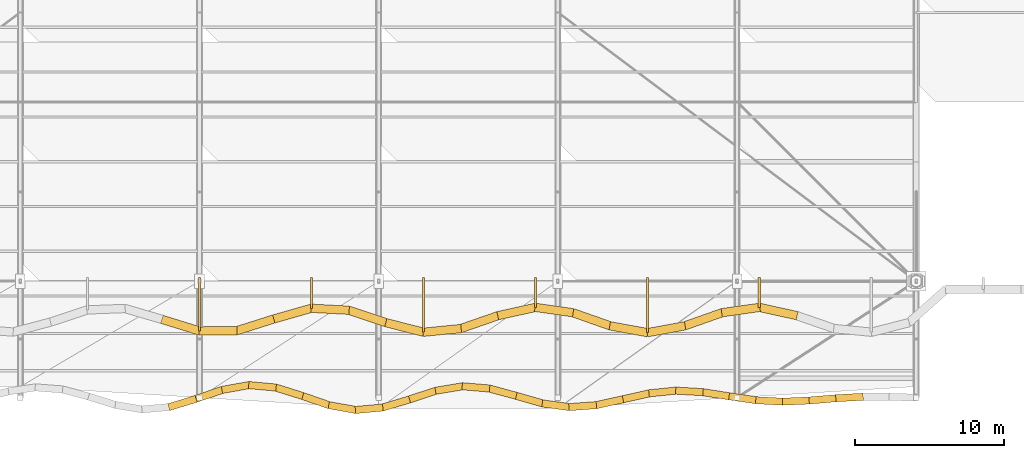
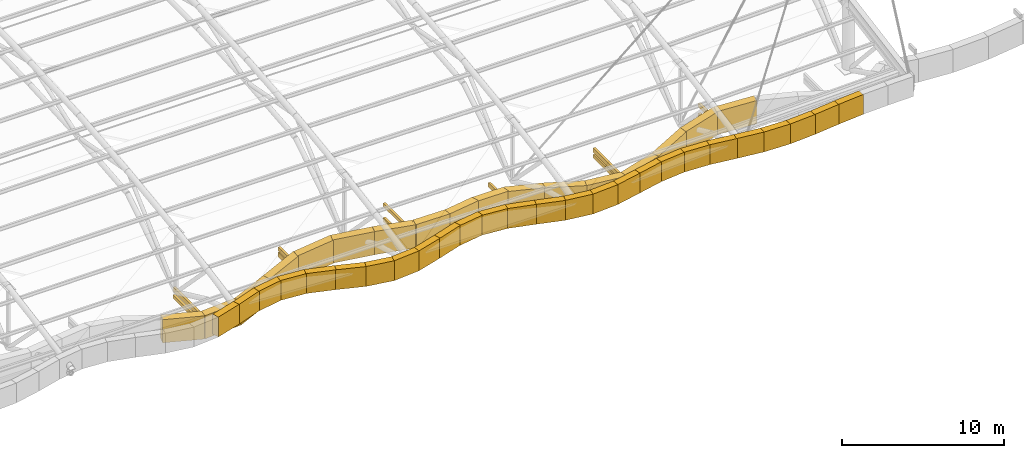
# One storey, part 25 of 29: 54 coverings.
"""IFC4 building model written with IfcOpenShell, lengths in metres."""

from ifc_helpers import new_model, si_unit, direction, frame, frame_2d, origin, place, context, subcontext, project, spatial, polyline, rectangle, outline, extrude, material, layer, layer_set, type_object, element, save


model = new_model("IFC4")

# Units and contexts
model_context = context("Model", 3, precision=1e-05, world=origin(), true_north=direction((0.0, 1.0)))
body_context = subcontext(model_context, "Body", "Model", "MODEL_VIEW")
ifc_project = project(units=[si_unit("LENGTHUNIT", "METRE"), si_unit("AREAUNIT", "SQUARE_METRE"), si_unit("VOLUMEUNIT", "CUBIC_METRE"), si_unit("PLANEANGLEUNIT", "RADIAN"), si_unit("MASSUNIT", "GRAM", prefix="KILO")], contexts=[model_context])

# Site, building, storey
site_placement = place(None, origin())
site = spatial("IfcSite", under=ifc_project, at=site_placement, CompositionType="ELEMENT")
building_placement = place(site_placement, origin())
building = spatial("IfcBuilding", under=site, at=building_placement, Name="Keelwater Ferry Terminal", CompositionType="ELEMENT")
storey_placement = place(building_placement, frame((0.0, 0.0, 27.89990234375)))
storey = spatial("IfcBuildingStorey", under=building, at=storey_placement, Name="RF", CompositionType="ELEMENT", Elevation=27.89990234375)

# Coverings
ifc_material = material(Name="Matte white architectural aluminium fascia ribbon", Category="aluminium")
ifc_layer = layer(ifc_material, 0.1201171875)
ifc_layer_set = layer_set([ifc_layer], Name="Matte white architectural aluminium fascia ribbon")
covering_type = type_object("IfcCoveringType", Name="RB-WHT Matte White Fascia Ribbon", PredefinedType="CLADDING", material=ifc_layer_set)
covering_1_placement = place(storey_placement, frame((81.47607421875, 39.444091796875, -14.375), z_axis=(0.0, 0.0, 1.0), x_axis=(0.955445837969, -0.295166479648, 0.0)))
element("IfcCovering", 1, at=covering_1_placement, inside=storey, type_object=covering_type, Name="Overhanging Roof-Edge Wave Fascia Ribbon 432", PredefinedType="CLADDING", context=body_context, shape_type="SweptSolid", body=[
    extrude(outline(polyline([(0.0, 0.12109375), (2.666748046875, 0.0), (2.666748046875, 1.75), (0.0, 1.87109375), (0.0, 0.12109375)])), frame((0.0, 0.280029296875, 0.0), z_axis=(0.0, -1.0, 0.0), x_axis=(1.0, 0.0, 0.0)), (0.0, 0.0, 1.0), 0.56005859375),
])
covering_2_placement = place(storey_placement, frame((83.97509765625, 38.6640625, -14.375), z_axis=(0.0, 0.0, 1.0), x_axis=(0.999972112646, 0.007468194637, 0.0)))
element("IfcCovering", 2, at=covering_2_placement, inside=storey, type_object=covering_type, Name="Overhanging Roof-Edge Wave Fascia Ribbon 436", PredefinedType="CLADDING", context=body_context, shape_type="SweptSolid", body=[
    extrude(outline(polyline([(0.0, 0.0), (2.5498046875, 0.13720703125), (2.5498046875, 1.88720703125), (0.0, 1.75), (0.0, 0.0)])), frame((0.0, 0.280029296875, 0.0), z_axis=(0.0, -1.0, 0.0), x_axis=(1.0, 0.0, 0.0)), (0.0, 0.0, 1.0), 0.56005859375),
])
covering_3_placement = place(storey_placement, frame((84.0, 38.6640625, -13.639892578125), z_axis=(0.0, 0.0, 1.0), x_axis=(0.0, 1.0, 0.0)))
element("IfcCovering", 3, at=covering_3_placement, inside=storey, type_object=covering_type, Name="Ribbon Horizontal Tie Bracket 440", PredefinedType="CLADDING", context=body_context, shape_type="SweptSolid", body=[
    extrude(rectangle(XDim=3.5859375, YDim=0.159912109375, at=frame_2d((1.79296875, 0.0))), origin(), (0.0, 0.0, 1.0), 0.280029296875),
])
covering_4_placement = place(storey_placement, frame((84.0, 38.6640625, -13.119873046875), z_axis=(0.0, 0.0, 1.0), x_axis=(0.0, 1.0, 0.0)))
element("IfcCovering", 4, at=covering_4_placement, inside=storey, type_object=covering_type, Name="Ribbon Roof Eave Tie Bracket 443", PredefinedType="CLADDING", context=body_context, shape_type="SweptSolid", body=[
    extrude(rectangle(XDim=3.5859375, YDim=0.159912109375, at=frame_2d((1.79296875, 0.0))), origin(), (0.0, 0.0, 1.0), 0.340087890625),
])
covering_5_placement = place(storey_placement, frame((86.47607421875, 38.675048828125, -14.23779296875), z_axis=(0.0, 0.0, 1.0), x_axis=(0.953335214088, 0.30191384463, 0.0)))
element("IfcCovering", 5, at=covering_5_placement, inside=storey, type_object=covering_type, Name="Overhanging Roof-Edge Wave Fascia Ribbon 448", PredefinedType="CLADDING", context=body_context, shape_type="SweptSolid", body=[
    extrude(outline(polyline([(0.0, 0.0), (2.672607421875, 0.36376953125), (2.672607421875, 2.11376953125), (0.0, 1.75), (0.0, 0.0)])), frame((0.0, 0.280029296875, 0.0), z_axis=(0.0, -1.0, 0.0), x_axis=(1.0, 0.0, 0.0)), (0.0, 0.0, 1.0), 0.56005859375),
])
covering_6_placement = place(storey_placement, frame((88.97607421875, 39.467041015625, -13.8740234375), z_axis=(0.0, 0.0, 1.0), x_axis=(0.961832872249, 0.273637581229, 0.0)))
element("IfcCovering", 6, at=covering_6_placement, inside=storey, type_object=covering_type, Name="Overhanging Roof-Edge Wave Fascia Ribbon 451", PredefinedType="CLADDING", context=body_context, shape_type="SweptSolid", body=[
    extrude(outline(polyline([(0.0, 0.0), (2.64892578125, 0.47119140625), (2.64892578125, 2.22119140625), (0.0, 1.75), (0.0, 0.0)])), frame((0.0, 0.280029296875, 0.0), z_axis=(0.0, -1.0, 0.0), x_axis=(1.0, 0.0, 0.0)), (0.0, 0.0, 1.0), 0.56005859375),
])
covering_7_placement = place(storey_placement, frame((91.47509765625, 40.18603515625, -13.40283203125), z_axis=(0.0, 0.0, 1.0), x_axis=(0.998580872476, -0.053256371694, 0.0)))
element("IfcCovering", 7, at=covering_7_placement, inside=storey, type_object=covering_type, Name="Overhanging Roof-Edge Wave Fascia Ribbon 454", PredefinedType="CLADDING", context=body_context, shape_type="SweptSolid", body=[
    extrude(outline(polyline([(0.0, 0.0), (2.553466796875, 0.4189453125), (2.553466796875, 2.1689453125), (0.0, 1.75), (0.0, 0.0)])), frame((0.0, 0.280029296875, 0.0), z_axis=(0.0, -1.0, 0.0), x_axis=(1.0, 0.0, 0.0)), (0.0, 0.0, 1.0), 0.56005859375),
])
covering_8_placement = place(storey_placement, frame((91.5, 40.18505859375, -12.66796875), z_axis=(0.0, 0.0, 1.0), x_axis=(0.0, 1.0, 0.0)))
element("IfcCovering", 8, at=covering_8_placement, inside=storey, type_object=covering_type, Name="Ribbon Horizontal Tie Bracket 458", PredefinedType="CLADDING", context=body_context, shape_type="SweptSolid", body=[
    extrude(rectangle(XDim=2.06494140625, YDim=0.159912109375, at=frame_2d((1.032470703125, 0.0))), origin(), (0.0, 0.0, 1.0), 0.280029296875),
])
covering_9_placement = place(storey_placement, frame((91.5, 40.18505859375, -13.119873046875), z_axis=(0.0, 0.0, 1.0), x_axis=(0.0, 1.0, 0.0)))
element("IfcCovering", 9, at=covering_9_placement, inside=storey, type_object=covering_type, Name="Ribbon Roof Eave Tie Bracket 461", PredefinedType="CLADDING", context=body_context, shape_type="SweptSolid", body=[
    extrude(rectangle(XDim=2.06494140625, YDim=0.159912109375, at=frame_2d((1.032470703125, 0.0))), origin(), (0.0, 0.0, 1.0), 0.340087890625),
])
covering_10_placement = place(storey_placement, frame((93.97607421875, 40.05908203125, -12.98388671875), z_axis=(0.0, 0.0, 1.0), x_axis=(0.948483159873, -0.31682754842, 0.0)))
element("IfcCovering", 10, at=covering_10_placement, inside=storey, type_object=covering_type, Name="Overhanging Roof-Edge Wave Fascia Ribbon 465", PredefinedType="CLADDING", context=body_context, shape_type="SweptSolid", body=[
    extrude(outline(polyline([(0.0, 0.0), (2.686279296875, 0.27001953125), (2.686279296875, 2.02001953125), (0.0, 1.75), (0.0, 0.0)])), frame((0.0, 0.280029296875, 0.0), z_axis=(0.0, -1.0, 0.0), x_axis=(1.0, 0.0, 0.0)), (0.0, 0.0, 1.0), 0.56005859375),
])
covering_11_placement = place(storey_placement, frame((96.47607421875, 39.221923828125, -12.7138671875), z_axis=(0.0, 0.0, 1.0), x_axis=(0.969062454422, -0.246815638545, 0.0)))
element("IfcCovering", 11, at=covering_11_placement, inside=storey, type_object=covering_type, Name="Overhanging Roof-Edge Wave Fascia Ribbon 469", PredefinedType="CLADDING", context=body_context, shape_type="SweptSolid", body=[
    extrude(outline(polyline([(0.0, 0.0), (2.629150390625, 0.010986328125), (2.629150390625, 1.760986328125), (0.0, 1.75), (0.0, 0.0)])), frame((0.0, 0.280029296875, 0.0), z_axis=(0.0, -1.0, 0.0), x_axis=(1.0, 0.0, 0.0)), (0.0, 0.0, 1.0), 0.56005859375),
])
covering_12_placement = place(storey_placement, frame((98.97509765625, 38.576904296875, -12.935791015625), z_axis=(0.0, 0.0, 1.0), x_axis=(0.995190712751, 0.097956343614, 0.0)))
element("IfcCovering", 12, at=covering_12_placement, inside=storey, type_object=covering_type, Name="Overhanging Roof-Edge Wave Fascia Ribbon 473", PredefinedType="CLADDING", context=body_context, shape_type="SweptSolid", body=[
    extrude(outline(polyline([(0.0, 0.23291015625), (2.56201171875, 0.0), (2.56201171875, 1.75), (0.0, 1.98291015625), (0.0, 0.23291015625)])), frame((0.0, 0.280029296875, 0.0), z_axis=(0.0, -1.0, 0.0), x_axis=(1.0, 0.0, 0.0)), (0.0, 0.0, 1.0), 0.56005859375),
])
covering_13_placement = place(storey_placement, frame((99.0, 38.5791015625, -11.968017578125), z_axis=(0.0, 0.0, 1.0), x_axis=(0.0, 1.0, 0.0)))
element("IfcCovering", 13, at=covering_13_placement, inside=storey, type_object=covering_type, Name="Ribbon Horizontal Tie Bracket 477", PredefinedType="CLADDING", context=body_context, shape_type="SweptSolid", body=[
    extrude(rectangle(XDim=3.6708984375, YDim=0.159912109375, at=frame_2d((1.83544921875, 0.0))), origin(), (0.0, 0.0, 1.0), 0.280029296875),
])
covering_14_placement = place(storey_placement, frame((99.0, 38.5791015625, -13.119873046875), z_axis=(0.0, 0.0, 1.0), x_axis=(0.0, 1.0, 0.0)))
element("IfcCovering", 14, at=covering_14_placement, inside=storey, type_object=covering_type, Name="Ribbon Roof Eave Tie Bracket 480", PredefinedType="CLADDING", context=body_context, shape_type="SweptSolid", body=[
    extrude(rectangle(XDim=3.6708984375, YDim=0.159912109375, at=frame_2d((1.83544921875, 0.0))), origin(), (0.0, 0.0, 1.0), 0.340087890625),
])
covering_15_placement = place(storey_placement, frame((101.47607421875, 38.818115234375, -13.365966796875), z_axis=(0.0, 0.0, 1.0), x_axis=(0.945110901935, 0.326749725391, 0.0)))
element("IfcCovering", 15, at=covering_15_placement, inside=storey, type_object=covering_type, Name="Overhanging Roof-Edge Wave Fascia Ribbon 484", PredefinedType="CLADDING", context=body_context, shape_type="SweptSolid", body=[
    extrude(outline(polyline([(0.0, 0.43017578125), (2.69580078125, 0.0), (2.69580078125, 1.75), (0.0, 2.18017578125), (0.0, 0.43017578125)])), frame((0.0, 0.280029296875, 0.0), z_axis=(0.0, -1.0, 0.0), x_axis=(1.0, 0.0, 0.0)), (0.0, 0.0, 1.0), 0.56005859375),
])
covering_16_placement = place(storey_placement, frame((103.97607421875, 39.68603515625, -13.8330078125), z_axis=(0.0, 0.0, 1.0), x_axis=(0.976524931289, 0.215404407036, 0.0)))
element("IfcCovering", 16, at=covering_16_placement, inside=storey, type_object=covering_type, Name="Overhanging Roof-Edge Wave Fascia Ribbon 487", PredefinedType="CLADDING", context=body_context, shape_type="SweptSolid", body=[
    extrude(outline(polyline([(0.0, 0.467041015625), (2.609130859375, 0.0), (2.609130859375, 1.75), (0.0, 2.217041015625), (0.0, 0.467041015625)])), frame((0.0, 0.280029296875, 0.0), z_axis=(0.0, -1.0, 0.0), x_axis=(1.0, 0.0, 0.0)), (0.0, 0.0, 1.0), 0.56005859375),
])
covering_17_placement = place(storey_placement, frame((106.47509765625, 40.2470703125, -14.201904296875), z_axis=(0.0, 0.0, 1.0), x_axis=(0.990015739635, -0.140956856074, 0.0)))
element("IfcCovering", 17, at=covering_17_placement, inside=storey, type_object=covering_type, Name="Overhanging Roof-Edge Wave Fascia Ribbon 491", PredefinedType="CLADDING", context=body_context, shape_type="SweptSolid", body=[
    extrude(outline(polyline([(0.0, 0.368896484375), (2.575439453125, 0.0), (2.575439453125, 1.75), (0.0, 2.118896484375), (0.0, 0.368896484375)])), frame((0.0, 0.280029296875, 0.0), z_axis=(0.0, -1.0, 0.0), x_axis=(1.0, 0.0, 0.0)), (0.0, 0.0, 1.0), 0.56005859375),
])
covering_18_placement = place(storey_placement, frame((106.5, 40.242919921875, -13.119873046875), z_axis=(0.0, 0.0, 1.0), x_axis=(0.0, 1.0, 0.0)))
element("IfcCovering", 18, at=covering_18_placement, inside=storey, type_object=covering_type, Name="Ribbon Roof Eave Tie Bracket 497", PredefinedType="CLADDING", context=body_context, shape_type="SweptSolid", body=[
    extrude(rectangle(XDim=2.007080078125, YDim=0.159912109375, at=frame_2d((1.00341796875, 0.0))), origin(), (0.0, 0.0, 1.0), 0.340087890625),
])
covering_19_placement = place(storey_placement, frame((108.97607421875, 39.89599609375, -14.372802734375), z_axis=(0.0, 0.0, 1.0), x_axis=(0.943366885716, -0.33175129078, 0.0)))
element("IfcCovering", 19, at=covering_19_placement, inside=storey, type_object=covering_type, Name="Overhanging Roof-Edge Wave Fascia Ribbon 502", PredefinedType="CLADDING", context=body_context, shape_type="SweptSolid", body=[
    extrude(outline(polyline([(0.0, 0.1708984375), (2.700927734375, 0.0), (2.700927734375, 1.75), (0.0, 1.9208984375), (0.0, 0.1708984375)])), frame((0.0, 0.280029296875, 0.0), z_axis=(0.0, -1.0, 0.0), x_axis=(1.0, 0.0, 0.0)), (0.0, 0.0, 1.0), 0.56005859375),
])
covering_20_placement = place(storey_placement, frame((111.47509765625, 39.012939453125, -14.372802734375), z_axis=(0.0, 0.0, 1.0), x_axis=(0.983568673155, -0.180534387824, 0.0)))
element("IfcCovering", 20, at=covering_20_placement, inside=storey, type_object=covering_type, Name="Overhanging Roof-Edge Wave Fascia Ribbon 506", PredefinedType="CLADDING", context=body_context, shape_type="SweptSolid", body=[
    extrude(outline(polyline([(0.0, 0.0), (2.59228515625, 0.094970703125), (2.59228515625, 1.844970703125), (0.0, 1.75), (0.0, 0.0)])), frame((0.0, 0.280029296875, 0.0), z_axis=(0.0, -1.0, 0.0), x_axis=(1.0, 0.0, 0.0)), (0.0, 0.0, 1.0), 0.56005859375),
])
covering_21_placement = place(storey_placement, frame((113.97509765625, 38.544921875, -14.27783203125), z_axis=(0.0, 0.0, 1.0), x_axis=(0.983568673155, 0.180534387824, 0.0)))
element("IfcCovering", 21, at=covering_21_placement, inside=storey, type_object=covering_type, Name="Overhanging Roof-Edge Wave Fascia Ribbon 510", PredefinedType="CLADDING", context=body_context, shape_type="SweptSolid", body=[
    extrude(outline(polyline([(0.0, 0.0), (2.59228515625, 0.321044921875), (2.59228515625, 2.071044921875), (0.0, 1.75), (0.0, 0.0)])), frame((0.0, 0.280029296875, 0.0), z_axis=(0.0, -1.0, 0.0), x_axis=(1.0, 0.0, 0.0)), (0.0, 0.0, 1.0), 0.56005859375),
])
covering_22_placement = place(storey_placement, frame((114.0, 38.550048828125, -13.54296875), z_axis=(0.0, 0.0, 1.0), x_axis=(0.0, 1.0, 0.0)))
element("IfcCovering", 22, at=covering_22_placement, inside=storey, type_object=covering_type, Name="Ribbon Horizontal Tie Bracket 514", PredefinedType="CLADDING", context=body_context, shape_type="SweptSolid", body=[
    extrude(rectangle(XDim=3.699951171875, YDim=0.159912109375, at=frame_2d((1.85009765625, 0.0))), origin(), (0.0, 0.0, 1.0), 0.280029296875),
])
covering_23_placement = place(storey_placement, frame((114.0, 38.550048828125, -13.119873046875), z_axis=(0.0, 0.0, 1.0), x_axis=(0.0, 1.0, 0.0)))
element("IfcCovering", 23, at=covering_23_placement, inside=storey, type_object=covering_type, Name="Ribbon Roof Eave Tie Bracket 517", PredefinedType="CLADDING", context=body_context, shape_type="SweptSolid", body=[
    extrude(rectangle(XDim=3.699951171875, YDim=0.159912109375, at=frame_2d((1.85009765625, 0.0))), origin(), (0.0, 0.0, 1.0), 0.340087890625),
])
covering_24_placement = place(storey_placement, frame((116.47607421875, 39.0, -13.956787109375), z_axis=(0.0, 0.0, 1.0), x_axis=(0.943366885716, 0.33175129078, 0.0)))
element("IfcCovering", 24, at=covering_24_placement, inside=storey, type_object=covering_type, Name="Overhanging Roof-Edge Wave Fascia Ribbon 520", PredefinedType="CLADDING", context=body_context, shape_type="SweptSolid", body=[
    extrude(outline(polyline([(0.0, 0.0), (2.700927734375, 0.469970703125), (2.700927734375, 2.219970703125), (0.0, 1.75), (0.0, 0.0)])), frame((0.0, 0.280029296875, 0.0), z_axis=(0.0, -1.0, 0.0), x_axis=(1.0, 0.0, 0.0)), (0.0, 0.0, 1.0), 0.56005859375),
])
covering_25_placement = place(storey_placement, frame((118.97509765625, 39.884033203125, -13.48681640625), z_axis=(0.0, 0.0, 1.0), x_axis=(0.990015739635, 0.140956856074, 0.0)))
element("IfcCovering", 25, at=covering_25_placement, inside=storey, type_object=covering_type, Name="Overhanging Roof-Edge Wave Fascia Ribbon 523", PredefinedType="CLADDING", context=body_context, shape_type="SweptSolid", body=[
    extrude(outline(polyline([(0.0, 0.0), (2.575439453125, 0.43896484375), (2.575439453125, 2.18896484375), (0.0, 1.75), (0.0, 0.0)])), frame((0.0, 0.280029296875, 0.0), z_axis=(0.0, -1.0, 0.0), x_axis=(1.0, 0.0, 0.0)), (0.0, 0.0, 1.0), 0.56005859375),
])
covering_26_placement = place(storey_placement, frame((121.47607421875, 40.248046875, -13.0478515625), z_axis=(0.0, 0.0, 1.0), x_axis=(0.976524931289, -0.215404407036, 0.0)))
element("IfcCovering", 26, at=covering_26_placement, inside=storey, type_object=covering_type, Name="Overhanging Roof-Edge Wave Fascia Ribbon 526", PredefinedType="CLADDING", context=body_context, shape_type="SweptSolid", body=[
    extrude(outline(polyline([(0.0, 0.0), (2.609130859375, 0.300048828125), (2.609130859375, 2.050048828125), (0.0, 1.75), (0.0, 0.0)])), frame((0.0, 0.280029296875, 0.0), z_axis=(0.0, -1.0, 0.0), x_axis=(1.0, 0.0, 0.0)), (0.0, 0.0, 1.0), 0.56005859375),
])
covering_27_placement = place(storey_placement, frame((121.5, 40.242919921875, -12.31298828125), z_axis=(0.0, 0.0, 1.0), x_axis=(0.0, 1.0, 0.0)))
element("IfcCovering", 27, at=covering_27_placement, inside=storey, type_object=covering_type, Name="Ribbon Horizontal Tie Bracket 530", PredefinedType="CLADDING", context=body_context, shape_type="SweptSolid", body=[
    extrude(rectangle(XDim=2.007080078125, YDim=0.159912109375, at=frame_2d((1.00341796875, 0.0))), origin(), (0.0, 0.0, 1.0), 0.280029296875),
])
covering_28_placement = place(storey_placement, frame((121.5, 40.242919921875, -13.119873046875), z_axis=(0.0, 0.0, 1.0), x_axis=(0.0, 1.0, 0.0)))
element("IfcCovering", 28, at=covering_28_placement, inside=storey, type_object=covering_type, Name="Ribbon Roof Eave Tie Bracket 533", PredefinedType="CLADDING", context=body_context, shape_type="SweptSolid", body=[
    extrude(rectangle(XDim=2.007080078125, YDim=0.159912109375, at=frame_2d((1.00341796875, 0.0))), origin(), (0.0, 0.0, 1.0), 0.340087890625),
])
covering_29_placement = place(storey_placement, frame((81.93310546875, 33.56201171875, -10.474853515625), z_axis=(0.0, 0.0, 1.0), x_axis=(0.957510307366, 0.288399048695, 0.0)))
element("IfcCovering", 29, at=covering_29_placement, inside=storey, type_object=covering_type, Name="Concourse Saddle Overhanging Wave Eave Ribbon 790", PredefinedType="CLADDING", context=body_context, shape_type="SweptSolid", body=[
    extrude(outline(polyline([(0.0, 0.0), (1.91748046875, 0.010986328125), (1.91748046875, 1.510986328125), (0.0, 1.5), (0.0, 0.0)])), frame((0.0, 0.239990234375, 0.0), z_axis=(0.0, -1.0, 0.0), x_axis=(1.0, 0.0, 0.0)), (0.0, 0.0, 1.0), 0.47998046875),
])
covering_30_placement = place(storey_placement, frame((83.720947265625, 34.10009765625, -10.4638671875), z_axis=(0.0, 0.0, 1.0), x_axis=(0.946289738783, 0.32331985753, 0.0)))
element("IfcCovering", 30, at=covering_30_placement, inside=storey, type_object=covering_type, Name="Concourse Saddle Overhanging Wave Eave Ribbon 791", PredefinedType="CLADDING", context=body_context, shape_type="SweptSolid", body=[
    extrude(outline(polyline([(0.0, 0.0), (1.939208984375, 0.007080078125), (1.939208984375, 1.507080078125), (0.0, 1.5), (0.0, 0.0)])), frame((0.0, 0.239990234375, 0.0), z_axis=(0.0, -1.0, 0.0), x_axis=(1.0, 0.0, 0.0)), (0.0, 0.0, 1.0), 0.47998046875),
])
covering_31_placement = place(storey_placement, frame((85.507080078125, 34.715087890625, -10.456787109375), z_axis=(0.0, 0.0, 1.0), x_axis=(0.984440511289, 0.175718182704, 0.0)))
element("IfcCovering", 31, at=covering_31_placement, inside=storey, type_object=covering_type, Name="Concourse Saddle Overhanging Wave Eave Ribbon 792", PredefinedType="CLADDING", context=body_context, shape_type="SweptSolid", body=[
    extrude(outline(polyline([(0.0, 0.0), (1.865966796875, 0.005859375), (1.865966796875, 1.505859375), (0.0, 1.5), (0.0, 0.0)])), frame((0.0, 0.239990234375, 0.0), z_axis=(0.0, -1.0, 0.0), x_axis=(1.0, 0.0, 0.0)), (0.0, 0.0, 1.0), 0.47998046875),
])
covering_32_placement = place(storey_placement, frame((87.2939453125, 35.041015625, -10.450927734375), z_axis=(0.0, 0.0, 1.0), x_axis=(0.995749892719, -0.092098594729, 0.0)))
element("IfcCovering", 32, at=covering_32_placement, inside=storey, type_object=covering_type, Name="Concourse Saddle Overhanging Wave Eave Ribbon 793", PredefinedType="CLADDING", context=body_context, shape_type="SweptSolid", body=[
    extrude(outline(polyline([(0.0, 0.0), (1.844970703125, 0.0029296875), (1.844970703125, 1.5029296875), (0.0, 1.5), (0.0, 0.0)])), frame((0.0, 0.239990234375, 0.0), z_axis=(0.0, -1.0, 0.0), x_axis=(1.0, 0.0, 0.0)), (0.0, 0.0, 1.0), 0.47998046875),
])
covering_33_placement = place(storey_placement, frame((89.08203125, 34.8798828125, -10.447998046875), z_axis=(0.0, 0.0, 1.0), x_axis=(0.954443837018, -0.298390619791, 0.0)))
element("IfcCovering", 33, at=covering_33_placement, inside=storey, type_object=covering_type, Name="Concourse Saddle Overhanging Wave Eave Ribbon 794", PredefinedType="CLADDING", context=body_context, shape_type="SweptSolid", body=[
    extrude(outline(polyline([(0.0, 0.0), (1.923583984375, 0.0), (1.923583984375, 1.5), (0.0, 1.5), (0.0, 0.0)])), frame((0.0, 0.239990234375, 0.0), z_axis=(0.0, -1.0, 0.0), x_axis=(1.0, 0.0, 0.0)), (0.0, 0.0, 1.0), 0.47998046875),
])
covering_34_placement = place(storey_placement, frame((90.8701171875, 34.321044921875, -10.450927734375), z_axis=(0.0, 0.0, 1.0), x_axis=(0.944545952665, -0.328379267471, 0.0)))
element("IfcCovering", 34, at=covering_34_placement, inside=storey, type_object=covering_type, Name="Concourse Saddle Overhanging Wave Eave Ribbon 795", PredefinedType="CLADDING", context=body_context, shape_type="SweptSolid", body=[
    extrude(outline(polyline([(0.0, 0.0029296875), (1.942626953125, 0.0), (1.942626953125, 1.5), (0.0, 1.5029296875), (0.0, 0.0029296875)])), frame((0.0, 0.239990234375, 0.0), z_axis=(0.0, -1.0, 0.0), x_axis=(1.0, 0.0, 0.0)), (0.0, 0.0, 1.0), 0.47998046875),
])
covering_35_placement = place(storey_placement, frame((92.656005859375, 33.695068359375, -10.456787109375), z_axis=(0.0, 0.0, 1.0), x_axis=(0.984417870397, -0.175844978444, 0.0)))
element("IfcCovering", 35, at=covering_35_placement, inside=storey, type_object=covering_type, Name="Concourse Saddle Overhanging Wave Eave Ribbon 796", PredefinedType="CLADDING", context=body_context, shape_type="SweptSolid", body=[
    extrude(outline(polyline([(0.0, 0.005859375), (1.865966796875, 0.0), (1.865966796875, 1.5), (0.0, 1.505859375), (0.0, 0.005859375)])), frame((0.0, 0.239990234375, 0.0), z_axis=(0.0, -1.0, 0.0), x_axis=(1.0, 0.0, 0.0)), (0.0, 0.0, 1.0), 0.47998046875),
])
covering_36_placement = place(storey_placement, frame((94.443115234375, 33.368896484375, -10.4638671875), z_axis=(0.0, 0.0, 1.0), x_axis=(0.995893206468, 0.090535746043, 0.0)))
element("IfcCovering", 36, at=covering_36_placement, inside=storey, type_object=covering_type, Name="Concourse Saddle Overhanging Wave Eave Ribbon 797", PredefinedType="CLADDING", context=body_context, shape_type="SweptSolid", body=[
    extrude(outline(polyline([(0.0, 0.007080078125), (1.844482421875, 0.0), (1.844482421875, 1.5), (0.0, 1.507080078125), (0.0, 0.007080078125)])), frame((0.0, 0.239990234375, 0.0), z_axis=(0.0, -1.0, 0.0), x_axis=(1.0, 0.0, 0.0)), (0.0, 0.0, 1.0), 0.47998046875),
])
covering_37_placement = place(storey_placement, frame((96.23095703125, 33.527099609375, -10.474853515625), z_axis=(0.0, 0.0, 1.0), x_axis=(0.957369569668, 0.288865898082, 0.0)))
element("IfcCovering", 37, at=covering_37_placement, inside=storey, type_object=covering_type, Name="Concourse Saddle Overhanging Wave Eave Ribbon 798", PredefinedType="CLADDING", context=body_context, shape_type="SweptSolid", body=[
    extrude(outline(polyline([(0.0, 0.010986328125), (1.917724609375, 0.0), (1.917724609375, 1.5), (0.0, 1.510986328125), (0.0, 0.010986328125)])), frame((0.0, 0.239990234375, 0.0), z_axis=(0.0, -1.0, 0.0), x_axis=(1.0, 0.0, 0.0)), (0.0, 0.0, 1.0), 0.47998046875),
])
covering_38_placement = place(storey_placement, frame((98.01904296875, 34.06591796875, -10.48583984375), z_axis=(0.0, 0.0, 1.0), x_axis=(0.949714349447, 0.313117636766, 0.0)))
element("IfcCovering", 38, at=covering_38_placement, inside=storey, type_object=covering_type, Name="Concourse Saddle Overhanging Wave Eave Ribbon 799", PredefinedType="CLADDING", context=body_context, shape_type="SweptSolid", body=[
    extrude(outline(polyline([(0.0, 0.010986328125), (1.93212890625, 0.0), (1.93212890625, 1.5), (0.0, 1.510986328125), (0.0, 0.010986328125)])), frame((0.0, 0.239990234375, 0.0), z_axis=(0.0, -1.0, 0.0), x_axis=(1.0, 0.0, 0.0)), (0.0, 0.0, 1.0), 0.47998046875),
])
covering_39_placement = place(storey_placement, frame((99.804931640625, 34.658935546875, -10.4990234375), z_axis=(0.0, 0.0, 1.0), x_axis=(0.986482357686, 0.163867501277, 0.0)))
element("IfcCovering", 39, at=covering_39_placement, inside=storey, type_object=covering_type, Name="Concourse Saddle Overhanging Wave Eave Ribbon 800", PredefinedType="CLADDING", context=body_context, shape_type="SweptSolid", body=[
    extrude(outline(polyline([(0.0, 0.01318359375), (1.8623046875, 0.0), (1.8623046875, 1.5), (0.0, 1.51318359375), (0.0, 0.01318359375)])), frame((0.0, 0.239990234375, 0.0), z_axis=(0.0, -1.0, 0.0), x_axis=(1.0, 0.0, 0.0)), (0.0, 0.0, 1.0), 0.47998046875),
])
covering_40_placement = place(storey_placement, frame((101.592041015625, 34.9619140625, -10.512939453125), z_axis=(0.0, 0.0, 1.0), x_axis=(0.996512797338, -0.083440066763, 0.0)))
element("IfcCovering", 40, at=covering_40_placement, inside=storey, type_object=covering_type, Name="Concourse Saddle Overhanging Wave Eave Ribbon 801", PredefinedType="CLADDING", context=body_context, shape_type="SweptSolid", body=[
    extrude(outline(polyline([(0.0, 0.013916015625), (1.84326171875, 0.0), (1.84326171875, 1.5), (0.0, 1.513916015625), (0.0, 0.013916015625)])), frame((0.0, 0.239990234375, 0.0), z_axis=(0.0, -1.0, 0.0), x_axis=(1.0, 0.0, 0.0)), (0.0, 0.0, 1.0), 0.47998046875),
])
covering_41_placement = place(storey_placement, frame((103.3798828125, 34.81689453125, -10.52587890625), z_axis=(0.0, 0.0, 1.0), x_axis=(0.96525404231, -0.261313286697, 0.0)))
element("IfcCovering", 41, at=covering_41_placement, inside=storey, type_object=covering_type, Name="Concourse Saddle Overhanging Wave Eave Ribbon 802", PredefinedType="CLADDING", context=body_context, shape_type="SweptSolid", body=[
    extrude(outline(polyline([(0.0, 0.012939453125), (1.9013671875, 0.0), (1.9013671875, 1.5), (0.0, 1.512939453125), (0.0, 0.012939453125)])), frame((0.0, 0.239990234375, 0.0), z_axis=(0.0, -1.0, 0.0), x_axis=(1.0, 0.0, 0.0)), (0.0, 0.0, 1.0), 0.47998046875),
])
covering_42_placement = place(storey_placement, frame((105.1669921875, 34.333984375, -10.538818359375), z_axis=(0.0, 0.0, 1.0), x_axis=(0.961035360045, -0.276425463268, 0.0)))
element("IfcCovering", 42, at=covering_42_placement, inside=storey, type_object=covering_type, Name="Concourse Saddle Overhanging Wave Eave Ribbon 803", PredefinedType="CLADDING", context=body_context, shape_type="SweptSolid", body=[
    extrude(outline(polyline([(0.0, 0.012939453125), (1.910400390625, 0.0), (1.910400390625, 1.5), (0.0, 1.512939453125), (0.0, 0.012939453125)])), frame((0.0, 0.239990234375, 0.0), z_axis=(0.0, -1.0, 0.0), x_axis=(1.0, 0.0, 0.0)), (0.0, 0.0, 1.0), 0.47998046875),
])
covering_43_placement = place(storey_placement, frame((106.9541015625, 33.81591796875, -10.5498046875), z_axis=(0.0, 0.0, 1.0), x_axis=(0.990438386582, -0.137955798663, 0.0)))
element("IfcCovering", 43, at=covering_43_placement, inside=storey, type_object=covering_type, Name="Concourse Saddle Overhanging Wave Eave Ribbon 804", PredefinedType="CLADDING", context=body_context, shape_type="SweptSolid", body=[
    extrude(outline(polyline([(0.0, 0.010986328125), (1.854736328125, 0.0), (1.854736328125, 1.5), (0.0, 1.510986328125), (0.0, 0.010986328125)])), frame((0.0, 0.239990234375, 0.0), z_axis=(0.0, -1.0, 0.0), x_axis=(1.0, 0.0, 0.0)), (0.0, 0.0, 1.0), 0.47998046875),
])
covering_44_placement = place(storey_placement, frame((108.740966796875, 33.56103515625, -10.558837890625), z_axis=(0.0, 0.0, 1.0), x_axis=(0.997386872891, 0.072245593531, 0.0)))
element("IfcCovering", 44, at=covering_44_placement, inside=storey, type_object=covering_type, Name="Concourse Saddle Overhanging Wave Eave Ribbon 805", PredefinedType="CLADDING", context=body_context, shape_type="SweptSolid", body=[
    extrude(outline(polyline([(0.0, 0.009033203125), (1.841796875, 0.0), (1.841796875, 1.5), (0.0, 1.509033203125), (0.0, 0.009033203125)])), frame((0.0, 0.239990234375, 0.0), z_axis=(0.0, -1.0, 0.0), x_axis=(1.0, 0.0, 0.0)), (0.0, 0.0, 1.0), 0.47998046875),
])
covering_45_placement = place(storey_placement, frame((110.529052734375, 33.68701171875, -10.56396484375), z_axis=(0.0, 0.0, 1.0), x_axis=(0.976604095242, 0.215045207241, 0.0)))
element("IfcCovering", 45, at=covering_45_placement, inside=storey, type_object=covering_type, Name="Concourse Saddle Overhanging Wave Eave Ribbon 806", PredefinedType="CLADDING", context=body_context, shape_type="SweptSolid", body=[
    extrude(outline(polyline([(0.0, 0.005126953125), (1.87890625, 0.0), (1.87890625, 1.5), (0.0, 1.505126953125), (0.0, 0.005126953125)])), frame((0.0, 0.239990234375, 0.0), z_axis=(0.0, -1.0, 0.0), x_axis=(1.0, 0.0, 0.0)), (0.0, 0.0, 1.0), 0.47998046875),
])
covering_46_placement = place(storey_placement, frame((112.31591796875, 34.0810546875, -10.56591796875), z_axis=(0.0, 0.0, 1.0), x_axis=(0.975754715844, 0.218866933337, 0.0)))
element("IfcCovering", 46, at=covering_46_placement, inside=storey, type_object=covering_type, Name="Concourse Saddle Overhanging Wave Eave Ribbon 807", PredefinedType="CLADDING", context=body_context, shape_type="SweptSolid", body=[
    extrude(outline(polyline([(0.0, 0.001953125), (1.8818359375, 0.0), (1.8818359375, 1.5), (0.0, 1.501953125), (0.0, 0.001953125)])), frame((0.0, 0.239990234375, 0.0), z_axis=(0.0, -1.0, 0.0), x_axis=(1.0, 0.0, 0.0)), (0.0, 0.0, 1.0), 0.47998046875),
])
covering_47_placement = place(storey_placement, frame((114.10302734375, 34.485107421875, -10.56591796875), z_axis=(0.0, 0.0, 1.0), x_axis=(0.994804124058, 0.101807439597, 0.0)))
element("IfcCovering", 47, at=covering_47_placement, inside=storey, type_object=covering_type, Name="Concourse Saddle Overhanging Wave Eave Ribbon 808", PredefinedType="CLADDING", context=body_context, shape_type="SweptSolid", body=[
    extrude(outline(polyline([(0.0, 0.0), (1.846435546875, 0.00390625), (1.846435546875, 1.50390625), (0.0, 1.5), (0.0, 0.0)])), frame((0.0, 0.239990234375, 0.0), z_axis=(0.0, -1.0, 0.0), x_axis=(1.0, 0.0, 0.0)), (0.0, 0.0, 1.0), 0.47998046875),
])
covering_48_placement = place(storey_placement, frame((115.889892578125, 34.6708984375, -10.56201171875), z_axis=(0.0, 0.0, 1.0), x_axis=(0.998310324118, -0.058107630826, 0.0)))
element("IfcCovering", 48, at=covering_48_placement, inside=storey, type_object=covering_type, Name="Concourse Saddle Overhanging Wave Eave Ribbon 809", PredefinedType="CLADDING", context=body_context, shape_type="SweptSolid", body=[
    extrude(outline(polyline([(0.0, 0.0), (1.84033203125, 0.009033203125), (1.84033203125, 1.509033203125), (0.0, 1.5), (0.0, 0.0)])), frame((0.0, 0.239990234375, 0.0), z_axis=(0.0, -1.0, 0.0), x_axis=(1.0, 0.0, 0.0)), (0.0, 0.0, 1.0), 0.47998046875),
])
covering_49_placement = place(storey_placement, frame((117.677001953125, 34.569091796875, -10.552978515625), z_axis=(0.0, 0.0, 1.0), x_axis=(0.987924255795, -0.154937615874, 0.0)))
element("IfcCovering", 49, at=covering_49_placement, inside=storey, type_object=covering_type, Name="Concourse Saddle Overhanging Wave Eave Ribbon 810", PredefinedType="CLADDING", context=body_context, shape_type="SweptSolid", body=[
    extrude(outline(polyline([(0.0, 0.0), (1.859375, 0.01611328125), (1.859375, 1.51611328125), (0.0, 1.5), (0.0, 0.0)])), frame((0.0, 0.239990234375, 0.0), z_axis=(0.0, -1.0, 0.0), x_axis=(1.0, 0.0, 0.0)), (0.0, 0.0, 1.0), 0.47998046875),
])
covering_50_placement = place(storey_placement, frame((119.464111328125, 34.2890625, -10.536865234375), z_axis=(0.0, 0.0, 1.0), x_axis=(0.98952985248, -0.144328344583, 0.0)))
element("IfcCovering", 50, at=covering_50_placement, inside=storey, type_object=covering_type, Name="Concourse Saddle Overhanging Wave Eave Ribbon 811", PredefinedType="CLADDING", context=body_context, shape_type="SweptSolid", body=[
    extrude(outline(polyline([(0.0, 0.0), (1.857421875, 0.02294921875), (1.857421875, 1.52294921875), (0.0, 1.5), (0.0, 0.0)])), frame((0.0, 0.239990234375, 0.0), z_axis=(0.0, -1.0, 0.0), x_axis=(1.0, 0.0, 0.0)), (0.0, 0.0, 1.0), 0.47998046875),
])
covering_51_placement = place(storey_placement, frame((121.251953125, 34.02587890625, -10.513916015625), z_axis=(0.0, 0.0, 1.0), x_axis=(0.99858315616, -0.053213534302, 0.0)))
element("IfcCovering", 51, at=covering_51_placement, inside=storey, type_object=covering_type, Name="Concourse Saddle Overhanging Wave Eave Ribbon 812", PredefinedType="CLADDING", context=body_context, shape_type="SweptSolid", body=[
    extrude(outline(polyline([(0.0, 0.0), (1.83984375, 0.030029296875), (1.83984375, 1.530029296875), (0.0, 1.5), (0.0, 0.0)])), frame((0.0, 0.239990234375, 0.0), z_axis=(0.0, -1.0, 0.0), x_axis=(1.0, 0.0, 0.0)), (0.0, 0.0, 1.0), 0.47998046875),
])
covering_52_placement = place(storey_placement, frame((123.0390625, 33.927978515625, -10.48388671875), z_axis=(0.0, 0.0, 1.0), x_axis=(0.999027890995, 0.044082570416, 0.0)))
element("IfcCovering", 52, at=covering_52_placement, inside=storey, type_object=covering_type, Name="Concourse Saddle Overhanging Wave Eave Ribbon 813", PredefinedType="CLADDING", context=body_context, shape_type="SweptSolid", body=[
    extrude(outline(polyline([(0.0, 0.0), (1.838623046875, 0.0390625), (1.838623046875, 1.5390625), (0.0, 1.5), (0.0, 0.0)])), frame((0.0, 0.239990234375, 0.0), z_axis=(0.0, -1.0, 0.0), x_axis=(1.0, 0.0, 0.0)), (0.0, 0.0, 1.0), 0.47998046875),
])
covering_53_placement = place(storey_placement, frame((124.825927734375, 34.006103515625, -10.44482421875), z_axis=(0.0, 0.0, 1.0), x_axis=(0.996469543405, 0.083955041929, 0.0)))
element("IfcCovering", 53, at=covering_53_placement, inside=storey, type_object=covering_type, Name="Concourse Saddle Overhanging Wave Eave Ribbon 814", PredefinedType="CLADDING", context=body_context, shape_type="SweptSolid", body=[
    extrude(outline(polyline([(0.0, 0.0), (1.84375, 0.0478515625), (1.84375, 1.5478515625), (0.0, 1.5), (0.0, 0.0)])), frame((0.0, 0.239990234375, 0.0), z_axis=(0.0, -1.0, 0.0), x_axis=(1.0, 0.0, 0.0)), (0.0, 0.0, 1.0), 0.47998046875),
])
covering_54_placement = place(storey_placement, frame((126.613037109375, 34.157958984375, -10.39697265625), z_axis=(0.0, 0.0, 1.0), x_axis=(0.998491213764, 0.054911711278, 0.0)))
element("IfcCovering", 54, at=covering_54_placement, inside=storey, type_object=covering_type, Name="Concourse Saddle Overhanging Wave Eave Ribbon 815", PredefinedType="CLADDING", context=body_context, shape_type="SweptSolid", body=[
    extrude(outline(polyline([(0.0, 0.0), (1.840576171875, 0.05712890625), (1.840576171875, 1.55712890625), (0.0, 1.5), (0.0, 0.0)])), frame((0.0, 0.239990234375, 0.0), z_axis=(0.0, -1.0, 0.0), x_axis=(1.0, 0.0, 0.0)), (0.0, 0.0, 1.0), 0.47998046875),
])

save(model, "model.ifc")
